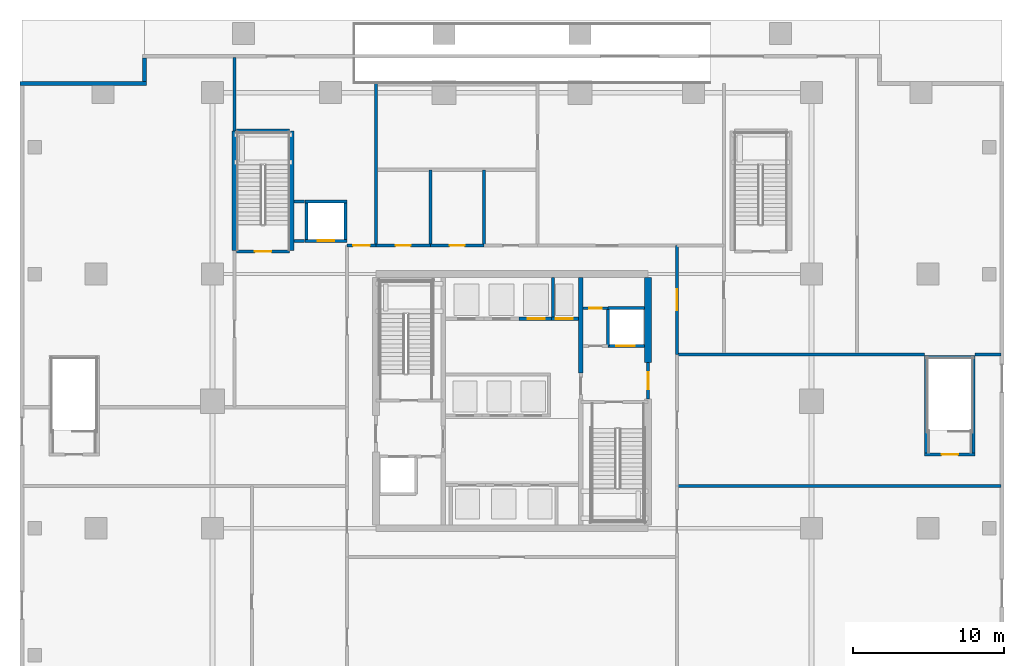
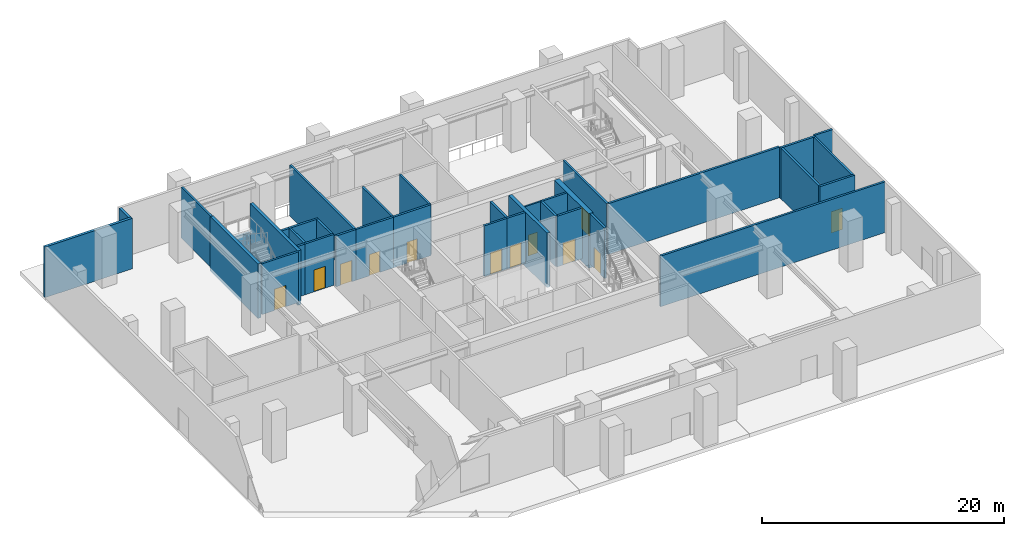
# One storey, part 5 of 15: 37 walls, 12 doors, 12 openings.
"""IFC4 building model written with IfcOpenShell, lengths in metres."""

from ifc_helpers import new_model, si_unit, direction, frame, frame_2d, origin, place, context, subcontext, project, spatial, rectangle, extrude, source, transform, mapped, material, layer, layer_set, type_object, element, fill, save


model = new_model("IFC4")

# Units and contexts
model_context = context("Model", 3, precision=1e-05, world=origin(), true_north=direction((0.0, 1.0)))
body_context = subcontext(model_context, "Body", "Model", "MODEL_VIEW")
ifc_project = project(units=[si_unit("LENGTHUNIT", "METRE"), si_unit("AREAUNIT", "SQUARE_METRE"), si_unit("VOLUMEUNIT", "CUBIC_METRE"), si_unit("PLANEANGLEUNIT", "RADIAN"), si_unit("MASSUNIT", "GRAM", prefix="KILO")], contexts=[model_context])

# Site, building, storey
site_placement = place(None, origin())
site = spatial("IfcSite", under=ifc_project, at=site_placement, CompositionType="ELEMENT")
building_placement = place(site_placement, origin())
building = spatial("IfcBuilding", under=site, at=building_placement, Name="Serunith Strait Residences", CompositionType="ELEMENT")
storey_placement = place(building_placement, origin())
storey = spatial("IfcBuildingStorey", under=building, at=storey_placement, Name="L00", CompositionType="ELEMENT", Elevation=0.0)

# Walls
ifc_material_1 = material(Name="Pale-Silver Aluminium Terracotta-Backed Wall", Category="masonry")
ifc_layer_1 = layer(ifc_material_1, 0.25, Name="Pale-Silver Aluminium Terracotta-Backed Wall")
ifc_layer_set_1 = layer_set([ifc_layer_1], Name="Pale-Silver Aluminium Terracotta-Backed Wall")
wall_type_1 = type_object("IfcWallType", Name="EW-POD-250", PredefinedType="ELEMENTEDWALL", material=ifc_layer_set_1)
wall_1_placement = place(storey_placement, frame((8.10009765625, 47.875, 0.0), z_axis=(0.0, 0.0, 1.0), x_axis=(0.0, -1.0, 0.0)))
element("IfcWall", 1, at=wall_1_placement, inside=storey, type_object=wall_type_1, Name="L00 Podium Envelope Wall 10", PredefinedType="ELEMENTEDWALL", context=body_context, shape_type="SweptSolid", body=[
    extrude(rectangle(XDim=1.550048828125, YDim=0.25, at=frame_2d((0.77490234375, 0.0))), origin(), (0.0, 0.0, 1.0), 5.10498046875),
])
wall_2_placement = place(storey_placement, frame((8.22509765625, 46.199951171875, 0.0), z_axis=(0.0, 0.0, 1.0), x_axis=(-1.0, 0.0, 0.0)))
element("IfcWall", 2, at=wall_2_placement, inside=storey, type_object=wall_type_1, Name="L00 Podium Envelope Wall 11", PredefinedType="ELEMENTEDWALL", context=body_context, shape_type="SweptSolid", body=[
    extrude(rectangle(XDim=8.35009765625, YDim=0.25, at=frame_2d((4.175048828125, 0.0))), origin(), (0.0, 0.0, 1.0), 5.10498046875),
])

# Wall, opening, door
ifc_material_2 = material(Name="Fire-rated masonry service closet wall", Category="masonry")
ifc_layer_2 = layer(ifc_material_2, 0.14990234375, Name="Fire-rated masonry service closet wall")
ifc_layer_set_2 = layer_set([ifc_layer_2], Name="Fire-rated masonry service closet wall")
wall_type_2 = type_object("IfcWallType", Name="IW-BOH-150", PredefinedType="PARTITIONING", material=ifc_layer_set_2)
wall_3_placement = place(storey_placement, frame((37.10009765625, 31.35009765625, 0.0), z_axis=(0.0, 0.0, 1.0), x_axis=(1.0, 0.0, 0.0)))
wall_3 = element("IfcWall", 3, at=wall_3_placement, inside=storey, type_object=wall_type_2, Name="L00 Partition Wall 012", PredefinedType="PARTITIONING", context=body_context, shape_type="SweptSolid", body=[
    extrude(rectangle(XDim=1.64794921875, YDim=0.14990234375, at=frame_2d((0.823974609375, 0.0))), origin(), (0.0, 0.0, 1.0), 5.1201171875),
])
opening_1_placement = place(wall_3_placement, frame((0.39892578125, 0.0, 0.0)))
opening_1 = element("IfcOpeningElement", 4, at=opening_1_placement, cuts=wall_3, Name="Opening FD-850", PredefinedType="OPENING", context=body_context, shape_type="SweptSolid", body=[
    extrude(rectangle(XDim=0.85009765625, YDim=2.10009765625, at=frame_2d((0.425048828125, 1.050048828125))), frame((0.0, 0.0849609375, 0.0), z_axis=(0.0, -1.0, 0.0), x_axis=(1.0, 0.0, 0.0)), (0.0, 0.0, 1.0), 0.169921875),
])
ifc_material_3 = material(Name="Powder-coated steel service closet door", Category="steel")
door_type_1 = type_object("IfcDoorType", Name="FD-BOH-850", OperationType="NOTDEFINED", PredefinedType="DOOR", material=ifc_material_3)
shared_shape_1 = source(origin(), body_context, "Body", "SweptSolid", [
    extrude(rectangle(XDim=0.85009765625, YDim=2.10009765625, at=frame_2d((0.425048828125, 1.050048828125))), frame((0.0, 0.02490234375, 0.0), z_axis=(0.0, -1.0, 0.0), x_axis=(1.0, 0.0, 0.0)), (0.0, 0.0, 1.0), 0.050048828125),
])
door_1_placement = place(opening_1_placement, origin())
door_1 = element("IfcDoor", 5, at=door_1_placement, inside=storey, type_object=door_type_1, Name="L00 Spare Parts Store Door", OperationType="SINGLE_SWING_LEFT", OverallHeight=2.10009765625, OverallWidth=0.85009765625, PredefinedType="DOOR", context=body_context, shape_type="MappedRepresentation", body=[
    mapped(shared_shape_1, transform((0.0, 0.0, 0.0), scale=1.0)),
])
fill(opening_1, door_1)

# Walls
ifc_material_4 = material(Name="Reinforced masonry fire compartment wall", Category="masonry")
ifc_layer_3 = layer(ifc_material_4, 0.199951171875, Name="Reinforced masonry fire compartment wall")
ifc_layer_set_3 = layer_set([ifc_layer_3], Name="Reinforced masonry fire compartment wall")
wall_type_3 = type_object("IfcWallType", Name="IW-PASS-200", PredefinedType="STANDARD", material=ifc_layer_set_3)
wall_4_placement = place(storey_placement, frame((43.300048828125, 19.60009765625, 0.0), z_axis=(0.0, 0.0, 1.0), x_axis=(1.0, 0.0, 0.0)))
element("IfcWall", 6, at=wall_4_placement, inside=storey, type_object=wall_type_3, Name="L00 Partition Wall 019", PredefinedType="STANDARD", context=body_context, shape_type="SweptSolid", body=[
    extrude(rectangle(XDim=21.41796875, YDim=0.199951171875, at=frame_2d((10.708984375, 0.0))), origin(), (0.0, 0.0, 1.0), 5.1201171875),
])
wall_5_placement = place(storey_placement, frame((43.300048828125, 28.300048828125, 0.0), z_axis=(0.0, 0.0, 1.0), x_axis=(1.0, 0.0, 0.0)))
element("IfcWall", 7, at=wall_5_placement, inside=storey, type_object=wall_type_3, Name="L00 Partition Wall 020", PredefinedType="STANDARD", context=body_context, shape_type="SweptSolid", body=[
    extrude(rectangle(XDim=16.3779296875, YDim=0.199951171875, at=frame_2d((8.18896484375, 0.0))), origin(), (0.0, 0.0, 1.0), 5.1201171875),
])
wall_6_placement = place(storey_placement, frame((63.02197265625, 28.300048828125, 0.0), z_axis=(0.0, 0.0, 1.0), x_axis=(1.0, 0.0, 0.0)))
element("IfcWall", 8, at=wall_6_placement, inside=storey, type_object=wall_type_3, Name="L00 Partition Wall 021", PredefinedType="STANDARD", context=body_context, shape_type="SweptSolid", body=[
    extrude(rectangle(XDim=1.696044921875, YDim=0.199951171875, at=frame_2d((0.84814453125, 0.0))), origin(), (0.0, 0.0, 1.0), 5.1201171875),
])
wall_7_placement = place(storey_placement, frame((14.050048828125, 43.052001953125, 0.0), z_axis=(0.0, 0.0, 1.0), x_axis=(0.0, 1.0, 0.0)))
element("IfcWall", 9, at=wall_7_placement, inside=storey, type_object=wall_type_3, Name="L00 Partition Wall 026", PredefinedType="STANDARD", context=body_context, shape_type="SweptSolid", body=[
    extrude(rectangle(XDim=4.865966796875, YDim=0.199951171875, at=frame_2d((2.43310546875, 0.0))), origin(), (0.0, 0.0, 1.0), 5.1201171875),
])

# Wall, opening, door
wall_8_placement = place(storey_placement, frame((21.5, 35.5, 0.0), z_axis=(0.0, 0.0, 1.0), x_axis=(1.0, 0.0, 0.0)))
wall_8 = element("IfcWall", 10, at=wall_8_placement, inside=storey, type_object=wall_type_3, Name="L00 Partition Wall 028", PredefinedType="STANDARD", context=body_context, shape_type="SweptSolid", body=[
    extrude(rectangle(XDim=1.89990234375, YDim=0.199951171875, at=frame_2d((0.949951171875, 0.0))), origin(), (0.0, 0.0, 1.0), 5.1201171875),
])
opening_2_placement = place(wall_8_placement, frame((0.39990234375, 0.0, 0.0)))
opening_2 = element("IfcOpeningElement", 11, at=opening_2_placement, cuts=wall_8, Name="Opening FD-1100", PredefinedType="OPENING", context=body_context, shape_type="SweptSolid", body=[
    extrude(rectangle(XDim=1.10009765625, YDim=2.14990234375, at=frame_2d((0.550048828125, 1.074951171875))), frame((0.0, 0.10986328125, 0.0), z_axis=(0.0, -1.0, 0.0), x_axis=(1.0, 0.0, 0.0)), (0.0, 0.0, 1.0), 0.219970703125),
])
ifc_material_5 = material(Name="Galvanised steel fire door leaf", Category="steel")
door_type_2 = type_object("IfcDoorType", Name="FD-STAIR-1100", OperationType="NOTDEFINED", PredefinedType="DOOR", material=ifc_material_5)
shared_shape_2 = source(origin(), body_context, "Body", "SweptSolid", [
    extrude(rectangle(XDim=1.10009765625, YDim=2.14990234375, at=frame_2d((0.550048828125, 1.074951171875))), frame((0.0, 0.02490234375, 0.0), z_axis=(0.0, -1.0, 0.0), x_axis=(1.0, 0.0, 0.0)), (0.0, 0.0, 1.0), 0.050048828125),
])
door_2_placement = place(opening_2_placement, origin())
door_2 = element("IfcDoor", 12, at=door_2_placement, inside=storey, type_object=door_type_2, Name="Exit Passage 3 North Link Door", OperationType="SINGLE_SWING_LEFT", OverallHeight=2.14990234375, OverallWidth=1.10009765625, PredefinedType="DOOR", context=body_context, shape_type="MappedRepresentation", body=[
    mapped(shared_shape_2, transform((0.0, 0.0, 0.0), scale=1.0)),
])
fill(opening_2, door_2)

# Walls
wall_9_placement = place(storey_placement, frame((23.39990234375, 35.5, 0.0), z_axis=(0.0, 0.0, 1.0), x_axis=(0.0, 1.0, 0.0)))
element("IfcWall", 13, at=wall_9_placement, inside=storey, type_object=wall_type_3, Name="L00 Partition Wall 029", PredefinedType="STANDARD", context=body_context, shape_type="SweptSolid", body=[
    extrude(rectangle(XDim=10.699951171875, YDim=0.199951171875, at=frame_2d((5.35009765625, 0.0))), origin(), (0.0, 0.0, 1.0), 5.1201171875),
])
for number, where, z_axis, x_axis, name in (
    (14, (18.0, 35.800048828125, 0.0), (0.0, 0.0, 1.0), (1.0, 0.0, 0.0), "L00 Partition Wall 030"),
    (15, (18.0, 38.39990234375, 0.0), (0.0, 0.0, 1.0), (1.0, 0.0, 0.0), "L00 Partition Wall 031"),
):
    element("IfcWall", number, at=place(storey_placement, frame(where, z_axis=z_axis, x_axis=x_axis)), inside=storey, type_object=wall_type_3, Name=name, PredefinedType="STANDARD", context=body_context, shape_type="SweptSolid", body=[
        extrude(rectangle(XDim=0.697998046875, YDim=0.199951171875, at=frame_2d((0.34912109375, 0.0))), origin(), (0.0, 0.0, 1.0), 5.1201171875),
    ])

# Wall, opening, door
wall_10_placement = place(storey_placement, frame((43.300048828125, 28.302001953125, 0.0), z_axis=(0.0, 0.0, 1.0), x_axis=(0.0, 1.0, 0.0)))
wall_10 = element("IfcWall", 16, at=wall_10_placement, inside=storey, type_object=wall_type_3, Name="L00 Partition Wall 034", PredefinedType="STANDARD", context=body_context, shape_type="SweptSolid", body=[
    extrude(rectangle(XDim=7.197998046875, YDim=0.199951171875, at=frame_2d((3.59912109375, 0.0))), origin(), (0.0, 0.0, 1.0), 5.1201171875),
])
opening_3_placement = place(wall_10_placement, frame((2.89892578125, 0.0, 0.0)))
opening_3 = element("IfcOpeningElement", 17, at=opening_3_placement, cuts=wall_10, Name="Opening FD-1400", PredefinedType="OPENING", context=body_context, shape_type="SweptSolid", body=[
    extrude(rectangle(XDim=1.39990234375, YDim=2.199951171875, at=frame_2d((0.699951171875, 1.10009765625))), frame((0.0, 0.10986328125, 0.0), z_axis=(0.0, -1.0, 0.0), x_axis=(1.0, 0.0, 0.0)), (0.0, 0.0, 1.0), 0.219970703125),
])
ifc_material_6 = material(Name="Acoustic double-skin steel plant door", Category="steel")
door_type_3 = type_object("IfcDoorType", Name="FD-PLANT-1400", OperationType="DOUBLE_DOOR_SINGLE_SWING", PredefinedType="DOOR", material=ifc_material_6)
shared_shape_3 = source(origin(), body_context, "Body", "SweptSolid", [
    extrude(rectangle(XDim=1.39990234375, YDim=2.199951171875, at=frame_2d((0.699951171875, 1.10009765625))), frame((0.0, 0.02490234375, 0.0), z_axis=(0.0, -1.0, 0.0), x_axis=(1.0, 0.0, 0.0)), (0.0, 0.0, 1.0), 0.050048828125),
])
door_3_placement = place(opening_3_placement, origin())
door_3 = element("IfcDoor", 18, at=door_3_placement, inside=storey, type_object=door_type_3, Name="Service Apron Concourse Door", OperationType="DOUBLE_DOOR_SINGLE_SWING", OverallHeight=2.199951171875, OverallWidth=1.39990234375, PredefinedType="DOOR", context=body_context, shape_type="MappedRepresentation", body=[
    mapped(shared_shape_3, transform((0.0, 0.0, 0.0), scale=1.0)),
])
fill(opening_3, door_3)

wall_11_placement = place(storey_placement, frame((23.402099609375, 35.5, 0.0), z_axis=(0.0, 0.0, 1.0), x_axis=(1.0, 0.0, 0.0)))
wall_11 = element("IfcWall", 19, at=wall_11_placement, inside=storey, type_object=wall_type_3, Name="L00 Partition Wall 038", PredefinedType="STANDARD", context=body_context, shape_type="SweptSolid", body=[
    extrude(rectangle(XDim=3.597900390625, YDim=0.199951171875, at=frame_2d((1.798828125, 0.0))), origin(), (0.0, 0.0, 1.0), 5.1201171875),
])
opening_4_placement = place(wall_11_placement, frame((1.299072265625, 0.0, 0.0)))
opening_4 = element("IfcOpeningElement", 20, at=opening_4_placement, cuts=wall_11, Name="Opening D-APT1000", PredefinedType="OPENING", context=body_context, shape_type="SweptSolid", body=[
    extrude(rectangle(XDim=1.0, YDim=2.14990234375, at=frame_2d((0.5, 1.074951171875))), frame((0.0, 0.10986328125, 0.0), z_axis=(0.0, -1.0, 0.0), x_axis=(1.0, 0.0, 0.0)), (0.0, 0.0, 1.0), 0.219970703125),
])
ifc_material_7 = material(Name="Solid timber engineered fire door", Category="wood")
door_type_4 = type_object("IfcDoorType", Name="ID-APT-1000", OperationType="NOTDEFINED", PredefinedType="DOOR", material=ifc_material_7)
shared_shape_4 = source(origin(), body_context, "Body", "SweptSolid", [
    extrude(rectangle(XDim=1.0, YDim=2.14990234375, at=frame_2d((0.5, 1.074951171875))), frame((0.0, 0.02490234375, 0.0), z_axis=(0.0, -1.0, 0.0), x_axis=(1.0, 0.0, 0.0)), (0.0, 0.0, 1.0), 0.050048828125),
])
door_4_placement = place(opening_4_placement, origin())
door_4 = element("IfcDoor", 21, at=door_4_placement, inside=storey, type_object=door_type_4, Name="Ground Accessible WC Door", OperationType="SINGLE_SWING_LEFT", OverallHeight=2.14990234375, OverallWidth=1.0, PredefinedType="DOOR", context=body_context, shape_type="MappedRepresentation", body=[
    mapped(shared_shape_4, transform((0.0, 0.0, 0.0), scale=1.0)),
])
fill(opening_4, door_4)

wall_12_placement = place(storey_placement, frame((27.001953125, 35.5, 0.0), z_axis=(0.0, 0.0, 1.0), x_axis=(1.0, 0.0, 0.0)))
wall_12 = element("IfcWall", 22, at=wall_12_placement, inside=storey, type_object=wall_type_3, Name="L00 Partition Wall 039", PredefinedType="STANDARD", context=body_context, shape_type="SweptSolid", body=[
    extrude(rectangle(XDim=3.548095703125, YDim=0.199951171875, at=frame_2d((1.77392578125, 0.0))), origin(), (0.0, 0.0, 1.0), 5.1201171875),
])
opening_5_placement = place(wall_12_placement, frame((1.27392578125, 0.0, 0.0)))
opening_5 = element("IfcOpeningElement", 23, at=opening_5_placement, cuts=wall_12, Name="Opening D-APT1000", PredefinedType="OPENING", context=body_context, shape_type="SweptSolid", body=[
    extrude(rectangle(XDim=1.0, YDim=2.14990234375, at=frame_2d((0.5, 1.074951171875))), frame((0.0, 0.10986328125, 0.0), z_axis=(0.0, -1.0, 0.0), x_axis=(1.0, 0.0, 0.0)), (0.0, 0.0, 1.0), 0.219970703125),
])
door_5_placement = place(opening_5_placement, origin())
door_5 = element("IfcDoor", 24, at=door_5_placement, inside=storey, type_object=door_type_4, Name="Ground Male WC Door", OperationType="SINGLE_SWING_RIGHT", OverallHeight=2.14990234375, OverallWidth=1.0, PredefinedType="DOOR", context=body_context, shape_type="MappedRepresentation", body=[
    mapped(shared_shape_4, transform((0.0, 0.0, 0.0), scale=1.0)),
])
fill(opening_5, door_5)

# Walls
for number, where, z_axis, x_axis, name in (
    (25, (27.0, 35.5, 0.0), (0.0, 0.0, 1.0), (0.0, 1.0, 0.0), "L00 Partition Wall 042"),
    (26, (30.550048828125, 35.5, 0.0), (0.0, 0.0, 1.0), (0.0, 1.0, 0.0), "L00 Partition Wall 043"),
):
    element("IfcWall", number, at=place(storey_placement, frame(where, z_axis=z_axis, x_axis=x_axis)), inside=storey, type_object=wall_type_3, Name=name, PredefinedType="STANDARD", context=body_context, shape_type="SweptSolid", body=[
        extrude(rectangle(XDim=5.0, YDim=0.199951171875, at=frame_2d((2.5, 0.0))), origin(), (0.0, 0.0, 1.0), 5.1201171875),
    ])

# Wall, opening, door
ifc_material_8 = material(Name="Autoclaved aerated concrete blockwork", Category="masonry")
ifc_layer_4 = layer(ifc_material_8, 0.199951171875, Name="Autoclaved aerated concrete blockwork")
ifc_layer_set_4 = layer_set([ifc_layer_4], Name="Autoclaved aerated concrete blockwork")
wall_type_4 = type_object("IfcWallType", Name="IW-SHAFT-200", PredefinedType="STANDARD", material=ifc_layer_set_4)
wall_13_placement = place(storey_placement, frame((14.199951171875, 35.10009765625, 0.0), z_axis=(0.0, 0.0, 1.0), x_axis=(1.0, 0.0, 0.0)))
wall_13 = element("IfcWall", 27, at=wall_13_placement, inside=storey, type_object=wall_type_4, Name="L00 ST-3 South Shaft Wall", PredefinedType="STANDARD", context=body_context, shape_type="SweptSolid", body=[
    extrude(rectangle(XDim=3.5, YDim=0.199951171875, at=frame_2d((1.75, 0.0))), origin(), (0.0, 0.0, 1.0), 5.1201171875),
])
opening_6_placement = place(wall_13_placement, frame((1.199951171875, 0.0, 0.0)))
opening_6 = element("IfcOpeningElement", 28, at=opening_6_placement, cuts=wall_13, Name="Opening FD-1100", PredefinedType="OPENING", context=body_context, shape_type="SweptSolid", body=[
    extrude(rectangle(XDim=1.10009765625, YDim=2.14990234375, at=frame_2d((0.550048828125, 1.074951171875))), frame((0.0, 0.10986328125, 0.0), z_axis=(0.0, -1.0, 0.0), x_axis=(1.0, 0.0, 0.0)), (0.0, 0.0, 1.0), 0.219970703125),
])
door_6_placement = place(opening_6_placement, origin())
door_6 = element("IfcDoor", 29, at=door_6_placement, inside=storey, type_object=door_type_2, Name="L00 ST-3 Escape Stair Door", OperationType="SINGLE_SWING_RIGHT", OverallHeight=2.14990234375, OverallWidth=1.10009765625, PredefinedType="DOOR", context=body_context, shape_type="MappedRepresentation", body=[
    mapped(shared_shape_2, transform((0.0, 0.0, 0.0), scale=1.0)),
])
fill(opening_6, door_6)

# Wall
wall_14_placement = place(storey_placement, frame((14.199951171875, 43.10009765625, 0.0), z_axis=(0.0, 0.0, 1.0), x_axis=(1.0, 0.0, 0.0)))
element("IfcWall", 30, at=wall_14_placement, inside=storey, type_object=wall_type_4, Name="L00 ST-3 North Shaft Wall", PredefinedType="STANDARD", context=body_context, shape_type="SweptSolid", body=[
    extrude(rectangle(XDim=3.5, YDim=0.199951171875, at=frame_2d((1.75, 0.0))), origin(), (0.0, 0.0, 1.0), 2.235107421875),
])

# Wall, opening, door
wall_15_placement = place(storey_placement, frame((59.679931640625, 21.679931640625, 0.0), z_axis=(0.0, 0.0, 1.0), x_axis=(1.0, 0.0, 0.0)))
wall_15 = element("IfcWall", 31, at=wall_15_placement, inside=storey, type_object=wall_type_4, Name="L00 ST-6 South Shaft Wall", PredefinedType="STANDARD", context=body_context, shape_type="SweptSolid", body=[
    extrude(rectangle(XDim=3.340087890625, YDim=0.199951171875, at=frame_2d((1.669921875, 0.0))), origin(), (0.0, 0.0, 1.0), 5.1201171875),
])
opening_7_placement = place(wall_15_placement, frame((1.1201171875, 0.0, 0.0)))
opening_7 = element("IfcOpeningElement", 32, at=opening_7_placement, cuts=wall_15, Name="Opening FD-1100", PredefinedType="OPENING", context=body_context, shape_type="SweptSolid", body=[
    extrude(rectangle(XDim=1.10009765625, YDim=2.14990234375, at=frame_2d((0.550048828125, 1.074951171875))), frame((0.0, 0.10986328125, 0.0), z_axis=(0.0, -1.0, 0.0), x_axis=(1.0, 0.0, 0.0)), (0.0, 0.0, 1.0), 0.219970703125),
])
door_7_placement = place(opening_7_placement, origin())
door_7 = element("IfcDoor", 33, at=door_7_placement, inside=storey, type_object=door_type_2, Name="L00 ST-6 Escape Stair Door", OperationType="SINGLE_SWING_RIGHT", OverallHeight=2.14990234375, OverallWidth=1.10009765625, PredefinedType="DOOR", context=body_context, shape_type="MappedRepresentation", body=[
    mapped(shared_shape_2, transform((0.0, 0.0, 0.0), scale=1.0)),
])
fill(opening_7, door_7)

# Walls
wall_16_placement = place(storey_placement, frame((59.679931640625, 28.1201171875, 0.0), z_axis=(0.0, 0.0, 1.0), x_axis=(1.0, 0.0, 0.0)))
element("IfcWall", 34, at=wall_16_placement, inside=storey, type_object=wall_type_4, Name="L00 ST-6 North Shaft Wall", PredefinedType="STANDARD", context=body_context, shape_type="SweptSolid", body=[
    extrude(rectangle(XDim=3.340087890625, YDim=0.199951171875, at=frame_2d((1.669921875, 0.0))), origin(), (0.0, 0.0, 1.0), 5.1201171875),
])
for number, where, z_axis, x_axis, name in (
    (35, (59.780029296875, 21.780029296875, 0.0), (0.0, 0.0, 1.0), (0.0, 1.0, 0.0), "L00 ST-6 West Shaft Wall"),
    (36, (62.919921875, 21.780029296875, 0.0), (0.0, 0.0, 1.0), (0.0, 1.0, 0.0), "L00 ST-6 East Shaft Wall"),
):
    element("IfcWall", number, at=place(storey_placement, frame(where, z_axis=z_axis, x_axis=x_axis)), inside=storey, type_object=wall_type_4, Name=name, PredefinedType="STANDARD", context=body_context, shape_type="SweptSolid", body=[
        extrude(rectangle(XDim=6.239990234375, YDim=0.199951171875, at=frame_2d((3.1201171875, 0.0))), origin(), (0.0, 0.0, 1.0), 5.1201171875),
    ])

# Wall, opening, door
wall_17_placement = place(storey_placement, frame((38.75, 28.85009765625, 0.0), z_axis=(0.0, 0.0, 1.0), x_axis=(1.0, 0.0, 0.0)))
wall_17 = element("IfcWall", 37, at=wall_17_placement, inside=storey, type_object=wall_type_4, Name="L00 FL-2 South Shaft Wall", PredefinedType="STANDARD", context=body_context, shape_type="SweptSolid", body=[
    extrude(rectangle(XDim=2.425048828125, YDim=0.199951171875, at=frame_2d((1.21240234375, 0.0))), origin(), (0.0, 0.0, 1.0), 5.1201171875),
])
opening_8_placement = place(wall_17_placement, frame((0.550048828125, 0.0, 0.0)))
opening_8 = element("IfcOpeningElement", 38, at=opening_8_placement, cuts=wall_17, Name="Opening LD-FF1200", PredefinedType="OPENING", context=body_context, shape_type="SweptSolid", body=[
    extrude(rectangle(XDim=1.199951171875, YDim=2.199951171875, at=frame_2d((0.60009765625, 1.10009765625))), frame((0.0, 0.10986328125, 0.0), z_axis=(0.0, -1.0, 0.0), x_axis=(1.0, 0.0, 0.0)), (0.0, 0.0, 1.0), 0.219970703125),
])
ifc_material_9 = material(Name="Brushed stainless steel landing door", Category="steel")
door_type_5 = type_object("IfcDoorType", Name="LD-FF-1200", OperationType="DOUBLE_DOOR_SLIDING", PredefinedType="DOOR", material=ifc_material_9)
shared_shape_5 = source(origin(), body_context, "Body", "SweptSolid", [
    extrude(rectangle(XDim=1.199951171875, YDim=2.199951171875, at=frame_2d((0.60009765625, 1.10009765625))), frame((0.0, 0.02490234375, 0.0), z_axis=(0.0, -1.0, 0.0), x_axis=(1.0, 0.0, 0.0)), (0.0, 0.0, 1.0), 0.050048828125),
])
door_8_placement = place(opening_8_placement, origin())
door_8 = element("IfcDoor", 39, at=door_8_placement, inside=storey, type_object=door_type_5, Name="L00 FL-2 Landing Door", OperationType="DOUBLE_DOOR_SLIDING", OverallHeight=2.199951171875, OverallWidth=1.199951171875, PredefinedType="DOOR", context=body_context, shape_type="MappedRepresentation", body=[
    mapped(shared_shape_5, transform((0.0, 0.0, 0.0), scale=1.0)),
])
fill(opening_8, door_8)

wall_18_placement = place(storey_placement, frame((32.85009765625, 30.64990234375, 0.0), z_axis=(0.0, 0.0, 1.0), x_axis=(1.0, 0.0, 0.0)))
wall_18 = element("IfcWall", 40, at=wall_18_placement, inside=storey, type_object=wall_type_4, Name="L00 PL-9 South Shaft Wall", PredefinedType="STANDARD", context=body_context, shape_type="SweptSolid", body=[
    extrude(rectangle(XDim=2.14990234375, YDim=0.199951171875, at=frame_2d((1.074951171875, 0.0))), origin(), (0.0, 0.0, 1.0), 5.1201171875),
])
opening_9_placement = place(wall_18_placement, frame((0.60009765625, 0.0, 0.0)))
opening_9 = element("IfcOpeningElement", 41, at=opening_9_placement, cuts=wall_18, Name="Opening LD-1100", PredefinedType="OPENING", context=body_context, shape_type="SweptSolid", body=[
    extrude(rectangle(XDim=1.10009765625, YDim=2.199951171875, at=frame_2d((0.550048828125, 1.10009765625))), frame((0.0, 0.10986328125, 0.0), z_axis=(0.0, -1.0, 0.0), x_axis=(1.0, 0.0, 0.0)), (0.0, 0.0, 1.0), 0.219970703125),
])
ifc_material_10 = material(Name="Pale-champagne stainless landing door")
door_type_6 = type_object("IfcDoorType", Name="LD-LIFT-1100", OperationType="DOUBLE_DOOR_SLIDING", PredefinedType="DOOR", material=ifc_material_10)
shared_shape_6 = source(origin(), body_context, "Body", "SweptSolid", [
    extrude(rectangle(XDim=1.10009765625, YDim=2.199951171875, at=frame_2d((0.550048828125, 1.10009765625))), frame((0.0, 0.02490234375, 0.0), z_axis=(0.0, -1.0, 0.0), x_axis=(1.0, 0.0, 0.0)), (0.0, 0.0, 1.0), 0.050048828125),
])
door_9_placement = place(opening_9_placement, origin())
door_9 = element("IfcDoor", 42, at=door_9_placement, inside=storey, type_object=door_type_6, Name="L00 PL-9 Landing Door", OperationType="DOUBLE_DOOR_SLIDING", OverallHeight=2.199951171875, OverallWidth=1.10009765625, PredefinedType="DOOR", context=body_context, shape_type="MappedRepresentation", body=[
    mapped(shared_shape_6, transform((0.0, 0.0, 0.0), scale=1.0)),
])
fill(opening_9, door_9)

wall_19_placement = place(storey_placement, frame((35.0, 30.64990234375, 0.0), z_axis=(0.0, 0.0, 1.0), x_axis=(1.0, 0.0, 0.0)))
wall_19 = element("IfcWall", 43, at=wall_19_placement, inside=storey, type_object=wall_type_4, Name="L00 SL-1 South Shaft Wall", PredefinedType="STANDARD", context=body_context, shape_type="SweptSolid", body=[
    extrude(rectangle(XDim=1.800048828125, YDim=0.199951171875, at=frame_2d((0.89990234375, 0.0))), origin(), (0.0, 0.0, 1.0), 5.1201171875),
])
opening_10_placement = place(wall_19_placement, frame((0.300048828125, 0.0, 0.0)))
opening_10 = element("IfcOpeningElement", 44, at=opening_10_placement, cuts=wall_19, Name="Opening LD-1100", PredefinedType="OPENING", context=body_context, shape_type="SweptSolid", body=[
    extrude(rectangle(XDim=1.10009765625, YDim=2.199951171875, at=frame_2d((0.550048828125, 1.10009765625))), frame((0.0, 0.10986328125, 0.0), z_axis=(0.0, -1.0, 0.0), x_axis=(1.0, 0.0, 0.0)), (0.0, 0.0, 1.0), 0.219970703125),
])
door_10_placement = place(opening_10_placement, origin())
door_10 = element("IfcDoor", 45, at=door_10_placement, inside=storey, type_object=door_type_6, Name="L00 SL-1 Landing Door", OperationType="DOUBLE_DOOR_SLIDING", OverallHeight=2.199951171875, OverallWidth=1.10009765625, PredefinedType="DOOR", context=body_context, shape_type="MappedRepresentation", body=[
    mapped(shared_shape_6, transform((0.0, 0.0, 0.0), scale=1.0)),
])
fill(opening_10, door_10)

# Wall
wall_20_placement = place(storey_placement, frame((35.10009765625, 30.75, 0.0), z_axis=(0.0, 0.0, 1.0), x_axis=(0.0, 1.0, 0.0)))
element("IfcWall", 46, at=wall_20_placement, inside=storey, type_object=wall_type_4, Name="L00 SL-1 West Shaft Wall", PredefinedType="STANDARD", context=body_context, shape_type="SweptSolid", body=[
    extrude(rectangle(XDim=2.625, YDim=0.199951171875, at=frame_2d((1.3125, 0.0))), origin(), (0.0, 0.0, 1.0), 5.1201171875),
])

# Wall, opening, door
wall_21_placement = place(storey_placement, frame((18.699951171875, 35.800048828125, 0.0), z_axis=(0.0, 0.0, 1.0), x_axis=(1.0, 0.0, 0.0)))
wall_21 = element("IfcWall", 47, at=wall_21_placement, inside=storey, type_object=wall_type_4, Name="L00 SV-1 South Shaft Wall", PredefinedType="STANDARD", context=body_context, shape_type="SweptSolid", body=[
    extrude(rectangle(XDim=2.800048828125, YDim=0.199951171875, at=frame_2d((1.39990234375, 0.0))), origin(), (0.0, 0.0, 1.0), 5.1201171875),
])
opening_11_placement = place(wall_21_placement, frame((0.85009765625, 0.0, 0.0)))
opening_11 = element("IfcOpeningElement", 48, at=opening_11_placement, cuts=wall_21, Name="Opening LD-1100", PredefinedType="OPENING", context=body_context, shape_type="SweptSolid", body=[
    extrude(rectangle(XDim=1.10009765625, YDim=2.199951171875, at=frame_2d((0.550048828125, 1.10009765625))), frame((0.0, 0.10986328125, 0.0), z_axis=(0.0, -1.0, 0.0), x_axis=(1.0, 0.0, 0.0)), (0.0, 0.0, 1.0), 0.219970703125),
])
door_11_placement = place(opening_11_placement, origin())
door_11 = element("IfcDoor", 49, at=door_11_placement, inside=storey, type_object=door_type_6, Name="L00 SV-1 Landing Door", OperationType="DOUBLE_DOOR_SLIDING", OverallHeight=2.199951171875, OverallWidth=1.10009765625, PredefinedType="DOOR", context=body_context, shape_type="MappedRepresentation", body=[
    mapped(shared_shape_6, transform((0.0, 0.0, 0.0), scale=1.0)),
])
fill(opening_11, door_11)

# Walls
for number, where, z_axis, x_axis, name in (
    (50, (18.800048828125, 35.89990234375, 0.0), (0.0, 0.0, 1.0), (0.0, 1.0, 0.0), "L00 SV-1 West Shaft Wall"),
    (51, (21.39990234375, 35.89990234375, 0.0), (0.0, 0.0, 1.0), (0.0, 1.0, 0.0), "L00 SV-1 East Shaft Wall"),
):
    element("IfcWall", number, at=place(storey_placement, frame(where, z_axis=z_axis, x_axis=x_axis)), inside=storey, type_object=wall_type_4, Name=name, PredefinedType="STANDARD", context=body_context, shape_type="SweptSolid", body=[
        extrude(rectangle(XDim=2.400146484375, YDim=0.199951171875, at=frame_2d((1.2001953125, 0.0))), origin(), (0.0, 0.0, 1.0), 5.1201171875),
    ])
wall_22_placement = place(storey_placement, frame((18.699951171875, 38.39990234375, 0.0), z_axis=(0.0, 0.0, 1.0), x_axis=(1.0, 0.0, 0.0)))
element("IfcWall", 52, at=wall_22_placement, inside=storey, type_object=wall_type_4, Name="L00 SV-1 North Shaft Wall", PredefinedType="STANDARD", context=body_context, shape_type="SweptSolid", body=[
    extrude(rectangle(XDim=2.800048828125, YDim=0.199951171875, at=frame_2d((1.39990234375, 0.0))), origin(), (0.0, 0.0, 1.0), 5.1201171875),
])
wall_23_placement = place(storey_placement, frame((38.75, 28.85009765625, 0.0), z_axis=(0.0, 0.0, 1.0), x_axis=(0.0, 1.0, 0.0)))
element("IfcWall", 53, at=wall_23_placement, inside=storey, type_object=wall_type_4, Name="L00 Partition Wall 004", PredefinedType="STANDARD", context=body_context, shape_type="SweptSolid", body=[
    extrude(rectangle(XDim=2.5, YDim=0.199951171875, at=frame_2d((1.25, 0.0))), origin(), (0.0, 0.0, 1.0), 5.1201171875),
])
wall_24_placement = place(storey_placement, frame((38.75, 31.35009765625, 0.0), z_axis=(0.0, 0.0, 1.0), x_axis=(1.0, 0.0, 0.0)))
element("IfcWall", 54, at=wall_24_placement, inside=storey, type_object=wall_type_4, Name="L00 Partition Wall 005", PredefinedType="STANDARD", context=body_context, shape_type="SweptSolid", body=[
    extrude(rectangle(XDim=2.425048828125, YDim=0.199951171875, at=frame_2d((1.21240234375, 0.0))), origin(), (0.0, 0.0, 1.0), 5.1201171875),
])

# Wall, opening, door
wall_25_placement = place(storey_placement, frame((41.39990234375, 25.35205078125, 0.0), z_axis=(0.0, 0.0, 1.0), x_axis=(0.0, 1.0, 0.0)))
wall_25 = element("IfcWall", 55, at=wall_25_placement, inside=storey, type_object=wall_type_4, Name="L00 Partition Wall 008", PredefinedType="STANDARD", context=body_context, shape_type="SweptSolid", body=[
    extrude(rectangle(XDim=2.39599609375, YDim=0.199951171875, at=frame_2d((1.197998046875, 0.0))), origin(), (0.0, 0.0, 1.0), 5.1201171875),
])
opening_12_placement = place(wall_25_placement, frame((0.64794921875, 0.0, 0.0)))
opening_12 = element("IfcOpeningElement", 56, at=opening_12_placement, cuts=wall_25, Name="Opening FD-FFL", PredefinedType="OPENING", context=body_context, shape_type="SweptSolid", body=[
    extrude(rectangle(XDim=1.10009765625, YDim=2.14990234375, at=frame_2d((0.550048828125, 1.074951171875))), frame((0.0, 0.10986328125, 0.0), z_axis=(0.0, -1.0, 0.0), x_axis=(1.0, 0.0, 0.0)), (0.0, 0.0, 1.0), 0.219970703125),
])
ifc_material_11 = material(Name="Glazed steel smoke-lobby fire door", Category="steel")
door_type_7 = type_object("IfcDoorType", Name="FD-FFL-1100", OperationType="NOTDEFINED", PredefinedType="DOOR", material=ifc_material_11)
door_12_placement = place(opening_12_placement, origin())
door_12 = element("IfcDoor", 57, at=door_12_placement, inside=storey, type_object=door_type_7, Name="L00 FFL-2 Corridor Fire Door", OperationType="SINGLE_SWING_RIGHT", OverallHeight=2.14990234375, OverallWidth=1.10009765625, PredefinedType="DOOR", context=body_context, shape_type="MappedRepresentation", body=[
    mapped(shared_shape_2, transform((0.0, 0.0, 0.0), scale=1.0)),
])
fill(opening_12, door_12)

# Walls
ifc_material_12 = material(Name="Concrete C60/75", Category="concrete")
ifc_layer_5 = layer(ifc_material_12, 0.300048828125, Name="Concrete C60/75")
ifc_layer_set_5 = layer_set([ifc_layer_5], Name="Concrete C60/75")
wall_type_5 = type_object("IfcWallType", Name="SW-300-C60", PredefinedType="SHEAR", material=ifc_layer_set_5)
for number, where, z_axis, x_axis, name in (
    (58, (14.050048828125, 35.14990234375, -0.3798828125), (0.0, 0.0, 1.0), (0.0, 1.0, 0.0), "L00 ST-3 West Structural Shaft Wall"),
    (59, (17.85009765625, 35.14990234375, -0.3798828125), (0.0, 0.0, 1.0), (0.0, 1.0, 0.0), "L00 ST-3 East Structural Shaft Wall"),
):
    element("IfcWall", number, at=place(storey_placement, frame(where, z_axis=z_axis, x_axis=x_axis)), inside=storey, type_object=wall_type_5, Name=name, PredefinedType="SHEAR", context=body_context, shape_type="SweptSolid", body=[
        extrude(rectangle(XDim=7.900146484375, YDim=0.300048828125, at=frame_2d((3.9501953125, 0.0))), origin(), (0.0, 0.0, 1.0), 5.497802734375),
    ])
ifc_material_13 = material(Name="Concrete C80/95", Category="concrete")
ifc_layer_6 = layer(ifc_material_13, 0.300048828125, Name="Concrete C80/95")
ifc_layer_set_6 = layer_set([ifc_layer_6], Name="Concrete C80/95")
wall_type_6 = type_object("IfcWallType", Name="SW-300-C80", PredefinedType="SHEAR", material=ifc_layer_set_6)
wall_26_placement = place(storey_placement, frame((36.949951171875, 27.050048828125, -0.3798828125), z_axis=(0.0, 0.0, 1.0), x_axis=(0.0, 1.0, 0.0)))
element("IfcWall", 60, at=wall_26_placement, inside=storey, type_object=wall_type_6, Name="L00 Core Internal East Web North Pier", PredefinedType="SHEAR", context=body_context, shape_type="SweptSolid", body=[
    extrude(rectangle(XDim=6.324951171875, YDim=0.300048828125, at=frame_2d((3.16259765625, 0.0))), origin(), (0.0, 0.0, 1.0), 5.497802734375),
])
ifc_layer_7 = layer(ifc_material_13, 0.449951171875, Name="Concrete C80/95")
ifc_layer_set_7 = layer_set([ifc_layer_7], Name="Concrete C80/95")
wall_type_7 = type_object("IfcWallType", Name="SW-450-C80", PredefinedType="SHEAR", material=ifc_layer_set_7)
wall_27_placement = place(storey_placement, frame((41.39990234375, 27.75, -0.3798828125), z_axis=(0.0, 0.0, 1.0), x_axis=(0.0, 1.0, 0.0)))
element("IfcWall", 61, at=wall_27_placement, inside=storey, type_object=wall_type_7, Name="L00 Core East Shear Wall North Pier", PredefinedType="SHEAR", context=body_context, shape_type="SweptSolid", body=[
    extrude(rectangle(XDim=5.625, YDim=0.449951171875, at=frame_2d((2.8125, 0.0))), origin(), (0.0, 0.0, 1.0), 5.497802734375),
])

save(model, "model.ifc")
